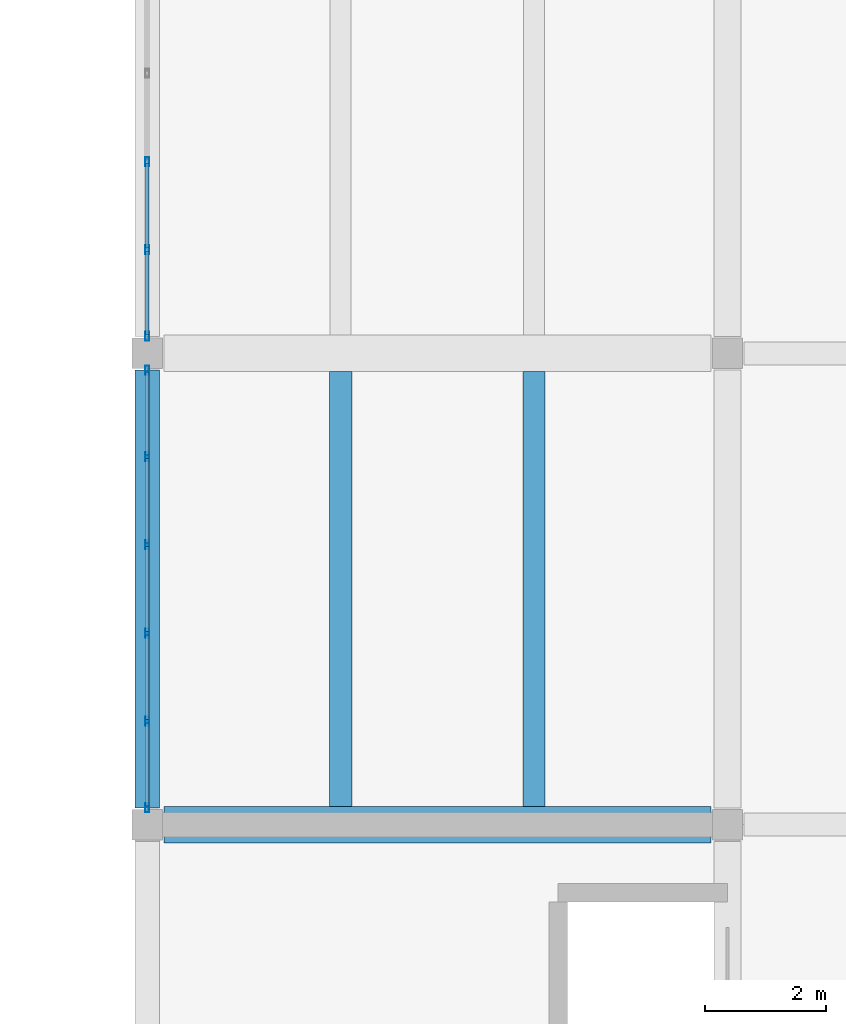
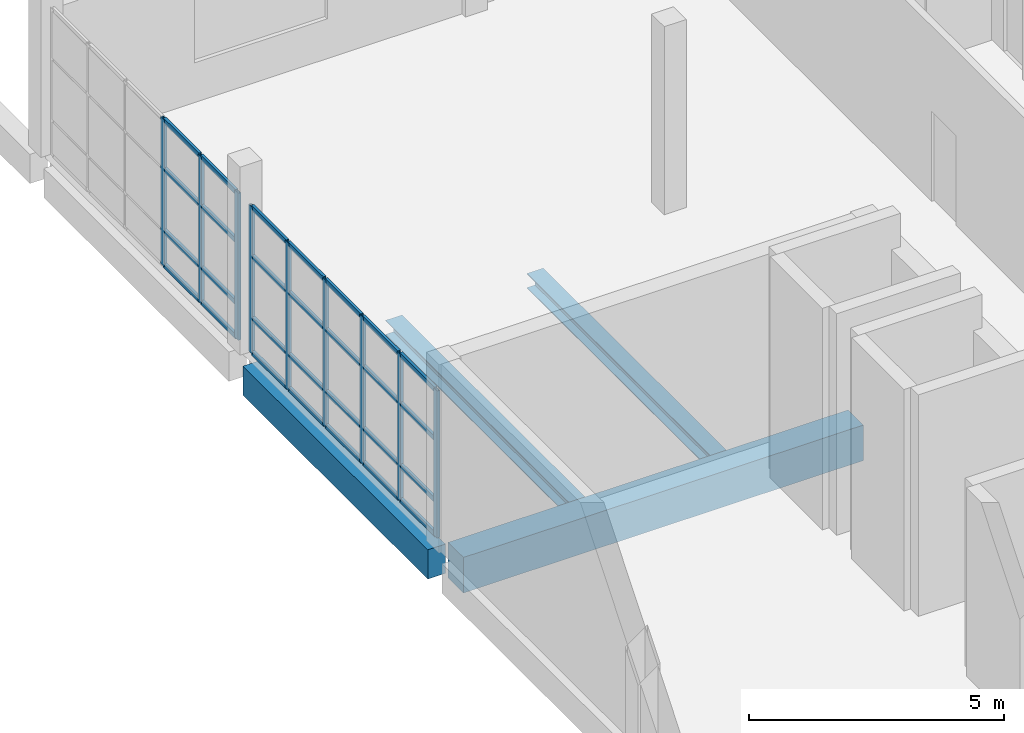
# One storey, part 26 of 53: 37 members, 4 beams, 2 elements without a shape of their own.
"""IFC4 building model written with IfcOpenShell, lengths in metres."""

from ifc_helpers import new_model, si_unit, direction, frame, origin, origin_2d, place, context, subcontext, project, spatial, rectangle, hollow_rectangle, i_section, extrude, material, material_profile, profile_set, type_object, element, aggregate, save


model = new_model("IFC4")

# Units and contexts
model_context = context("Model", 3, precision=1e-05, world=origin(), true_north=direction((0.0, 1.0)))
body_context = subcontext(model_context, "Body", "Model", "MODEL_VIEW")
ifc_project = project(units=[si_unit("LENGTHUNIT", "METRE"), si_unit("AREAUNIT", "SQUARE_METRE"), si_unit("VOLUMEUNIT", "CUBIC_METRE"), si_unit("PLANEANGLEUNIT", "RADIAN"), si_unit("MASSUNIT", "GRAM", prefix="KILO")], contexts=[model_context])

# Site, building, storey
site_placement = place(None, origin())
site = spatial("IfcSite", under=ifc_project, at=site_placement, CompositionType="ELEMENT")
building_placement = place(site_placement, origin())
building = spatial("IfcBuilding", under=site, at=building_placement, Name="Pellamere Symphony Hall", CompositionType="ELEMENT")
storey_placement = place(building_placement, frame((0.0, 0.0, 24.0)))
storey = spatial("IfcBuildingStorey", under=building, at=storey_placement, Name="L05", CompositionType="ELEMENT", Elevation=24.0)

# Curtain wall, members
ifc_material_1 = material(Name="Thermally Broken Anodised Aluminium 6063-T6 Curtain Wall", Category="aluminium")
curtain_wall_type = type_object("IfcCurtainWallType", Name="Curtain Wall CW-05 (Artists Wing North Studio Ribbon Curtain Wall)", PredefinedType="NOTDEFINED", material=ifc_material_1)
curtain_wall_1_placement = place(storey_placement, origin())
curtain_wall_1 = element("IfcCurtainWall", 1, at=curtain_wall_1_placement, inside=storey, type_object=curtain_wall_type, Name="Sculpture Court East Wing Curtain Wall (L05 Bay 1)", PredefinedType="NOTDEFINED")
ifc_material_2 = material(Name="Anodised Architectural Aluminium 6063-T6", Category="aluminium")
ifc_material_profile_1 = material_profile(ifc_material_2, hollow_rectangle(XDim=0.06005859375, YDim=0.14990234375, WallThickness=0.00390625, at=origin_2d()), Name="ALU-M60X150X4")
ifc_profile_set_1 = profile_set([ifc_material_profile_1], Name="Anodised Architectural Aluminium 6063-T6")
member_type_1 = type_object("IfcMemberType", Name="Curtain Wall Mullion ML-03 ALU-M60X150X4", PredefinedType="MULLION", material=ifc_profile_set_1)
member_1_placement = place(storey_placement, frame((138.0, 62.080078125, 0.0), z_axis=(0.0, 0.0, 1.0), x_axis=(-1.0, 0.0, 0.0)))
member_1 = element("IfcMember", 2, at=member_1_placement, type_object=member_type_1, Name="CW5-150 crystal mullion 1", PredefinedType="MULLION", context=body_context, shape_type="SweptSolid", body=[
    extrude(hollow_rectangle(XDim=0.06005859375, YDim=0.14990234375, WallThickness=0.00390625, at=origin_2d()), origin(), (0.0, 0.0, 1.0), 3.52001953125),
])
member_2_placement = place(storey_placement, frame((138.0, 63.510009765625, 0.0), z_axis=(0.0, 0.0, 1.0), x_axis=(-1.0, 0.0, 0.0)))
member_2 = element("IfcMember", 3, at=member_2_placement, type_object=member_type_1, Name="CW5-150 crystal mullion 2", PredefinedType="MULLION", context=body_context, shape_type="SweptSolid", body=[
    extrude(hollow_rectangle(XDim=0.06005859375, YDim=0.14990234375, WallThickness=0.00390625, at=origin_2d()), origin(), (0.0, 0.0, 1.0), 3.52001953125),
])
member_3_placement = place(storey_placement, frame((138.0, 64.969970703125, 0.0), z_axis=(0.0, 0.0, 1.0), x_axis=(-1.0, 0.0, 0.0)))
member_3 = element("IfcMember", 4, at=member_3_placement, type_object=member_type_1, Name="CW5-150 crystal mullion 3", PredefinedType="MULLION", context=body_context, shape_type="SweptSolid", body=[
    extrude(hollow_rectangle(XDim=0.06005859375, YDim=0.14990234375, WallThickness=0.00390625, at=origin_2d()), origin(), (0.0, 0.0, 1.0), 3.52001953125),
])
member_4_placement = place(storey_placement, frame((138.0, 66.429931640625, 0.0), z_axis=(0.0, 0.0, 1.0), x_axis=(-1.0, 0.0, 0.0)))
member_4 = element("IfcMember", 5, at=member_4_placement, type_object=member_type_1, Name="CW5-150 crystal mullion 4", PredefinedType="MULLION", context=body_context, shape_type="SweptSolid", body=[
    extrude(hollow_rectangle(XDim=0.06005859375, YDim=0.14990234375, WallThickness=0.00390625, at=origin_2d()), origin(), (0.0, 0.0, 1.0), 3.52001953125),
])
member_5_placement = place(storey_placement, frame((138.0, 67.889892578125, 0.0), z_axis=(0.0, 0.0, 1.0), x_axis=(-1.0, 0.0, 0.0)))
member_5 = element("IfcMember", 6, at=member_5_placement, type_object=member_type_1, Name="CW5-150 crystal mullion 5", PredefinedType="MULLION", context=body_context, shape_type="SweptSolid", body=[
    extrude(hollow_rectangle(XDim=0.06005859375, YDim=0.14990234375, WallThickness=0.00390625, at=origin_2d()), origin(), (0.0, 0.0, 1.0), 3.52001953125),
])
member_6_placement = place(storey_placement, frame((138.0, 69.320068359375, 0.0), z_axis=(0.0, 0.0, 1.0), x_axis=(-1.0, 0.0, 0.0)))
member_6 = element("IfcMember", 7, at=member_6_placement, type_object=member_type_1, Name="CW5-150 crystal mullion 6", PredefinedType="MULLION", context=body_context, shape_type="SweptSolid", body=[
    extrude(hollow_rectangle(XDim=0.06005859375, YDim=0.14990234375, WallThickness=0.00390625, at=origin_2d()), origin(), (0.0, 0.0, 1.0), 3.52001953125),
])

curtain_wall_2_placement = place(storey_placement, origin())
curtain_wall_2 = element("IfcCurtainWall", 8, at=curtain_wall_2_placement, inside=storey, type_object=curtain_wall_type, Name="Sculpture Court East Wing Curtain Wall (L05 Bay 2)", PredefinedType="NOTDEFINED")
member_7_placement = place(storey_placement, frame((138.0, 69.8798828125, 0.0), z_axis=(0.0, 0.0, 1.0), x_axis=(-1.0, 0.0, 0.0)))
member_7 = element("IfcMember", 9, at=member_7_placement, type_object=member_type_1, Name="CW5-151 crystal mullion 1", PredefinedType="MULLION", context=body_context, shape_type="SweptSolid", body=[
    extrude(hollow_rectangle(XDim=0.06005859375, YDim=0.14990234375, WallThickness=0.00390625, at=origin_2d()), origin(), (0.0, 0.0, 1.0), 3.52001953125),
])
member_8_placement = place(storey_placement, frame((138.0, 71.31005859375, 0.0), z_axis=(0.0, 0.0, 1.0), x_axis=(-1.0, 0.0, 0.0)))
member_8 = element("IfcMember", 10, at=member_8_placement, type_object=member_type_1, Name="CW5-151 crystal mullion 2", PredefinedType="MULLION", context=body_context, shape_type="SweptSolid", body=[
    extrude(hollow_rectangle(XDim=0.06005859375, YDim=0.14990234375, WallThickness=0.00390625, at=origin_2d()), origin(), (0.0, 0.0, 1.0), 3.52001953125),
])
member_9_placement = place(storey_placement, frame((138.0, 72.77001953125, 0.0), z_axis=(0.0, 0.0, 1.0), x_axis=(-1.0, 0.0, 0.0)))
member_9 = element("IfcMember", 11, at=member_9_placement, type_object=member_type_1, Name="CW5-151 crystal mullion 3", PredefinedType="MULLION", context=body_context, shape_type="SweptSolid", body=[
    extrude(hollow_rectangle(XDim=0.06005859375, YDim=0.14990234375, WallThickness=0.00390625, at=origin_2d()), origin(), (0.0, 0.0, 1.0), 3.52001953125),
])

# Member
ifc_material_profile_2 = material_profile(ifc_material_2, hollow_rectangle(XDim=0.06005859375, YDim=0.1201171875, WallThickness=0.00390625, at=origin_2d()), Name="ALU-T60X120X4")
ifc_profile_set_2 = profile_set([ifc_material_profile_2], Name="Anodised Architectural Aluminium 6063-T6")
member_type_2 = type_object("IfcMemberType", Name="Curtain Wall Transom TR-03 ALU-T60X120X4", PredefinedType="USERDEFINED", material=ifc_profile_set_2)
member_10_placement = place(storey_placement, frame((138.0, 62.110107421875, 0.030029296875), z_axis=(0.0, 1.0, 0.0), x_axis=(-1.0, 0.0, 0.0)))
member_10 = element("IfcMember", 12, at=member_10_placement, type_object=member_type_2, Name="CW5-150 crystal transom 1.1", ObjectType="TRANSOM", PredefinedType="USERDEFINED", context=body_context, shape_type="SweptSolid", body=[
    extrude(hollow_rectangle(XDim=0.06005859375, YDim=0.1201171875, WallThickness=0.00390625, at=origin_2d()), origin(), (0.0, 0.0, 1.0), 1.369873046875),
])

member_11_placement = place(storey_placement, frame((138.0, 62.110107421875, 0.8447265625), z_axis=(0.0, 1.0, 0.0), x_axis=(-1.0, 0.0, 0.0)))
member_11 = element("IfcMember", 13, at=member_11_placement, type_object=member_type_2, Name="CW5-150 crystal transom 1.2", ObjectType="TRANSOM", PredefinedType="USERDEFINED", context=body_context, shape_type="SweptSolid", body=[
    extrude(hollow_rectangle(XDim=0.06005859375, YDim=0.1201171875, WallThickness=0.00390625, at=origin_2d()), origin(), (0.0, 0.0, 1.0), 1.369873046875),
])

member_12_placement = place(storey_placement, frame((138.0, 62.110107421875, 2.3232421875), z_axis=(0.0, 1.0, 0.0), x_axis=(-1.0, 0.0, 0.0)))
member_12 = element("IfcMember", 14, at=member_12_placement, type_object=member_type_2, Name="CW5-150 crystal transom 1.3", ObjectType="TRANSOM", PredefinedType="USERDEFINED", context=body_context, shape_type="SweptSolid", body=[
    extrude(hollow_rectangle(XDim=0.06005859375, YDim=0.1201171875, WallThickness=0.00390625, at=origin_2d()), origin(), (0.0, 0.0, 1.0), 1.369873046875),
])

member_13_placement = place(storey_placement, frame((138.0, 62.110107421875, 3.489990234375), z_axis=(0.0, 1.0, 0.0), x_axis=(-1.0, 0.0, 0.0)))
member_13 = element("IfcMember", 15, at=member_13_placement, type_object=member_type_2, Name="CW5-150 crystal transom 1.4", ObjectType="TRANSOM", PredefinedType="USERDEFINED", context=body_context, shape_type="SweptSolid", body=[
    extrude(hollow_rectangle(XDim=0.06005859375, YDim=0.1201171875, WallThickness=0.00390625, at=origin_2d()), origin(), (0.0, 0.0, 1.0), 1.369873046875),
])

member_14_placement = place(storey_placement, frame((138.0, 63.5400390625, 0.030029296875), z_axis=(0.0, 1.0, 0.0), x_axis=(-1.0, 0.0, 0.0)))
member_14 = element("IfcMember", 16, at=member_14_placement, type_object=member_type_2, Name="CW5-150 crystal transom 2.1", ObjectType="TRANSOM", PredefinedType="USERDEFINED", context=body_context, shape_type="SweptSolid", body=[
    extrude(hollow_rectangle(XDim=0.06005859375, YDim=0.1201171875, WallThickness=0.00390625, at=origin_2d()), origin(), (0.0, 0.0, 1.0), 1.39990234375),
])

member_15_placement = place(storey_placement, frame((138.0, 63.5400390625, 0.8447265625), z_axis=(0.0, 1.0, 0.0), x_axis=(-1.0, 0.0, 0.0)))
member_15 = element("IfcMember", 17, at=member_15_placement, type_object=member_type_2, Name="CW5-150 crystal transom 2.2", ObjectType="TRANSOM", PredefinedType="USERDEFINED", context=body_context, shape_type="SweptSolid", body=[
    extrude(hollow_rectangle(XDim=0.06005859375, YDim=0.1201171875, WallThickness=0.00390625, at=origin_2d()), origin(), (0.0, 0.0, 1.0), 1.39990234375),
])

member_16_placement = place(storey_placement, frame((138.0, 63.5400390625, 2.3232421875), z_axis=(0.0, 1.0, 0.0), x_axis=(-1.0, 0.0, 0.0)))
member_16 = element("IfcMember", 18, at=member_16_placement, type_object=member_type_2, Name="CW5-150 crystal transom 2.3", ObjectType="TRANSOM", PredefinedType="USERDEFINED", context=body_context, shape_type="SweptSolid", body=[
    extrude(hollow_rectangle(XDim=0.06005859375, YDim=0.1201171875, WallThickness=0.00390625, at=origin_2d()), origin(), (0.0, 0.0, 1.0), 1.39990234375),
])

member_17_placement = place(storey_placement, frame((138.0, 63.5400390625, 3.489990234375), z_axis=(0.0, 1.0, 0.0), x_axis=(-1.0, 0.0, 0.0)))
member_17 = element("IfcMember", 19, at=member_17_placement, type_object=member_type_2, Name="CW5-150 crystal transom 2.4", ObjectType="TRANSOM", PredefinedType="USERDEFINED", context=body_context, shape_type="SweptSolid", body=[
    extrude(hollow_rectangle(XDim=0.06005859375, YDim=0.1201171875, WallThickness=0.00390625, at=origin_2d()), origin(), (0.0, 0.0, 1.0), 1.39990234375),
])

member_18_placement = place(storey_placement, frame((138.0, 65.0, 0.030029296875), z_axis=(0.0, 1.0, 0.0), x_axis=(-1.0, 0.0, 0.0)))
member_18 = element("IfcMember", 20, at=member_18_placement, type_object=member_type_2, Name="CW5-150 crystal transom 3.1", ObjectType="TRANSOM", PredefinedType="USERDEFINED", context=body_context, shape_type="SweptSolid", body=[
    extrude(hollow_rectangle(XDim=0.06005859375, YDim=0.1201171875, WallThickness=0.00390625, at=origin_2d()), origin(), (0.0, 0.0, 1.0), 1.39990234375),
])

member_19_placement = place(storey_placement, frame((138.0, 65.0, 0.8447265625), z_axis=(0.0, 1.0, 0.0), x_axis=(-1.0, 0.0, 0.0)))
member_19 = element("IfcMember", 21, at=member_19_placement, type_object=member_type_2, Name="CW5-150 crystal transom 3.2", ObjectType="TRANSOM", PredefinedType="USERDEFINED", context=body_context, shape_type="SweptSolid", body=[
    extrude(hollow_rectangle(XDim=0.06005859375, YDim=0.1201171875, WallThickness=0.00390625, at=origin_2d()), origin(), (0.0, 0.0, 1.0), 1.39990234375),
])

member_20_placement = place(storey_placement, frame((138.0, 65.0, 2.3232421875), z_axis=(0.0, 1.0, 0.0), x_axis=(-1.0, 0.0, 0.0)))
member_20 = element("IfcMember", 22, at=member_20_placement, type_object=member_type_2, Name="CW5-150 crystal transom 3.3", ObjectType="TRANSOM", PredefinedType="USERDEFINED", context=body_context, shape_type="SweptSolid", body=[
    extrude(hollow_rectangle(XDim=0.06005859375, YDim=0.1201171875, WallThickness=0.00390625, at=origin_2d()), origin(), (0.0, 0.0, 1.0), 1.39990234375),
])

member_21_placement = place(storey_placement, frame((138.0, 65.0, 3.489990234375), z_axis=(0.0, 1.0, 0.0), x_axis=(-1.0, 0.0, 0.0)))
member_21 = element("IfcMember", 23, at=member_21_placement, type_object=member_type_2, Name="CW5-150 crystal transom 3.4", ObjectType="TRANSOM", PredefinedType="USERDEFINED", context=body_context, shape_type="SweptSolid", body=[
    extrude(hollow_rectangle(XDim=0.06005859375, YDim=0.1201171875, WallThickness=0.00390625, at=origin_2d()), origin(), (0.0, 0.0, 1.0), 1.39990234375),
])

member_22_placement = place(storey_placement, frame((138.0, 66.4599609375, 0.030029296875), z_axis=(0.0, 1.0, 0.0), x_axis=(-1.0, 0.0, 0.0)))
member_22 = element("IfcMember", 24, at=member_22_placement, type_object=member_type_2, Name="CW5-150 crystal transom 4.1", ObjectType="TRANSOM", PredefinedType="USERDEFINED", context=body_context, shape_type="SweptSolid", body=[
    extrude(hollow_rectangle(XDim=0.06005859375, YDim=0.1201171875, WallThickness=0.00390625, at=origin_2d()), origin(), (0.0, 0.0, 1.0), 1.400146484375),
])

member_23_placement = place(storey_placement, frame((138.0, 66.4599609375, 0.8447265625), z_axis=(0.0, 1.0, 0.0), x_axis=(-1.0, 0.0, 0.0)))
member_23 = element("IfcMember", 25, at=member_23_placement, type_object=member_type_2, Name="CW5-150 crystal transom 4.2", ObjectType="TRANSOM", PredefinedType="USERDEFINED", context=body_context, shape_type="SweptSolid", body=[
    extrude(hollow_rectangle(XDim=0.06005859375, YDim=0.1201171875, WallThickness=0.00390625, at=origin_2d()), origin(), (0.0, 0.0, 1.0), 1.400146484375),
])

member_24_placement = place(storey_placement, frame((138.0, 66.4599609375, 2.3232421875), z_axis=(0.0, 1.0, 0.0), x_axis=(-1.0, 0.0, 0.0)))
member_24 = element("IfcMember", 26, at=member_24_placement, type_object=member_type_2, Name="CW5-150 crystal transom 4.3", ObjectType="TRANSOM", PredefinedType="USERDEFINED", context=body_context, shape_type="SweptSolid", body=[
    extrude(hollow_rectangle(XDim=0.06005859375, YDim=0.1201171875, WallThickness=0.00390625, at=origin_2d()), origin(), (0.0, 0.0, 1.0), 1.400146484375),
])

member_25_placement = place(storey_placement, frame((138.0, 66.4599609375, 3.489990234375), z_axis=(0.0, 1.0, 0.0), x_axis=(-1.0, 0.0, 0.0)))
member_25 = element("IfcMember", 27, at=member_25_placement, type_object=member_type_2, Name="CW5-150 crystal transom 4.4", ObjectType="TRANSOM", PredefinedType="USERDEFINED", context=body_context, shape_type="SweptSolid", body=[
    extrude(hollow_rectangle(XDim=0.06005859375, YDim=0.1201171875, WallThickness=0.00390625, at=origin_2d()), origin(), (0.0, 0.0, 1.0), 1.400146484375),
])

member_26_placement = place(storey_placement, frame((138.0, 67.919921875, 0.030029296875), z_axis=(0.0, 1.0, 0.0), x_axis=(-1.0, 0.0, 0.0)))
member_26 = element("IfcMember", 28, at=member_26_placement, type_object=member_type_2, Name="CW5-150 crystal transom 5.1", ObjectType="TRANSOM", PredefinedType="USERDEFINED", context=body_context, shape_type="SweptSolid", body=[
    extrude(hollow_rectangle(XDim=0.06005859375, YDim=0.1201171875, WallThickness=0.00390625, at=origin_2d()), origin(), (0.0, 0.0, 1.0), 1.3701171875),
])

member_27_placement = place(storey_placement, frame((138.0, 67.919921875, 0.8447265625), z_axis=(0.0, 1.0, 0.0), x_axis=(-1.0, 0.0, 0.0)))
member_27 = element("IfcMember", 29, at=member_27_placement, type_object=member_type_2, Name="CW5-150 crystal transom 5.2", ObjectType="TRANSOM", PredefinedType="USERDEFINED", context=body_context, shape_type="SweptSolid", body=[
    extrude(hollow_rectangle(XDim=0.06005859375, YDim=0.1201171875, WallThickness=0.00390625, at=origin_2d()), origin(), (0.0, 0.0, 1.0), 1.3701171875),
])

member_28_placement = place(storey_placement, frame((138.0, 67.919921875, 2.3232421875), z_axis=(0.0, 1.0, 0.0), x_axis=(-1.0, 0.0, 0.0)))
member_28 = element("IfcMember", 30, at=member_28_placement, type_object=member_type_2, Name="CW5-150 crystal transom 5.3", ObjectType="TRANSOM", PredefinedType="USERDEFINED", context=body_context, shape_type="SweptSolid", body=[
    extrude(hollow_rectangle(XDim=0.06005859375, YDim=0.1201171875, WallThickness=0.00390625, at=origin_2d()), origin(), (0.0, 0.0, 1.0), 1.3701171875),
])

member_29_placement = place(storey_placement, frame((138.0, 67.919921875, 3.489990234375), z_axis=(0.0, 1.0, 0.0), x_axis=(-1.0, 0.0, 0.0)))
member_29 = element("IfcMember", 31, at=member_29_placement, type_object=member_type_2, Name="CW5-150 crystal transom 5.4", ObjectType="TRANSOM", PredefinedType="USERDEFINED", context=body_context, shape_type="SweptSolid", body=[
    extrude(hollow_rectangle(XDim=0.06005859375, YDim=0.1201171875, WallThickness=0.00390625, at=origin_2d()), origin(), (0.0, 0.0, 1.0), 1.3701171875),
])

aggregate(curtain_wall_1, [member_1, member_2, member_3, member_4, member_5, member_6, member_10, member_11, member_12, member_13, member_14, member_15, member_16, member_17, member_18, member_19, member_20, member_21, member_22, member_23, member_24, member_25, member_26, member_27, member_28, member_29])

member_30_placement = place(storey_placement, frame((138.0, 69.909912109375, 0.030029296875), z_axis=(0.0, 1.0, 0.0), x_axis=(-1.0, 0.0, 0.0)))
member_30 = element("IfcMember", 32, at=member_30_placement, type_object=member_type_2, Name="CW5-151 crystal transom 1.1", ObjectType="TRANSOM", PredefinedType="USERDEFINED", context=body_context, shape_type="SweptSolid", body=[
    extrude(hollow_rectangle(XDim=0.06005859375, YDim=0.1201171875, WallThickness=0.00390625, at=origin_2d()), origin(), (0.0, 0.0, 1.0), 1.3701171875),
])

member_31_placement = place(storey_placement, frame((138.0, 69.909912109375, 0.8447265625), z_axis=(0.0, 1.0, 0.0), x_axis=(-1.0, 0.0, 0.0)))
member_31 = element("IfcMember", 33, at=member_31_placement, type_object=member_type_2, Name="CW5-151 crystal transom 1.2", ObjectType="TRANSOM", PredefinedType="USERDEFINED", context=body_context, shape_type="SweptSolid", body=[
    extrude(hollow_rectangle(XDim=0.06005859375, YDim=0.1201171875, WallThickness=0.00390625, at=origin_2d()), origin(), (0.0, 0.0, 1.0), 1.3701171875),
])

member_32_placement = place(storey_placement, frame((138.0, 69.909912109375, 2.3232421875), z_axis=(0.0, 1.0, 0.0), x_axis=(-1.0, 0.0, 0.0)))
member_32 = element("IfcMember", 34, at=member_32_placement, type_object=member_type_2, Name="CW5-151 crystal transom 1.3", ObjectType="TRANSOM", PredefinedType="USERDEFINED", context=body_context, shape_type="SweptSolid", body=[
    extrude(hollow_rectangle(XDim=0.06005859375, YDim=0.1201171875, WallThickness=0.00390625, at=origin_2d()), origin(), (0.0, 0.0, 1.0), 1.3701171875),
])

member_33_placement = place(storey_placement, frame((138.0, 69.909912109375, 3.489990234375), z_axis=(0.0, 1.0, 0.0), x_axis=(-1.0, 0.0, 0.0)))
member_33 = element("IfcMember", 35, at=member_33_placement, type_object=member_type_2, Name="CW5-151 crystal transom 1.4", ObjectType="TRANSOM", PredefinedType="USERDEFINED", context=body_context, shape_type="SweptSolid", body=[
    extrude(hollow_rectangle(XDim=0.06005859375, YDim=0.1201171875, WallThickness=0.00390625, at=origin_2d()), origin(), (0.0, 0.0, 1.0), 1.3701171875),
])

member_34_placement = place(storey_placement, frame((138.0, 71.340087890625, 0.030029296875), z_axis=(0.0, 1.0, 0.0), x_axis=(-1.0, 0.0, 0.0)))
member_34 = element("IfcMember", 36, at=member_34_placement, type_object=member_type_2, Name="CW5-151 crystal transom 2.1", ObjectType="TRANSOM", PredefinedType="USERDEFINED", context=body_context, shape_type="SweptSolid", body=[
    extrude(hollow_rectangle(XDim=0.06005859375, YDim=0.1201171875, WallThickness=0.00390625, at=origin_2d()), origin(), (0.0, 0.0, 1.0), 1.39990234375),
])

member_35_placement = place(storey_placement, frame((138.0, 71.340087890625, 0.8447265625), z_axis=(0.0, 1.0, 0.0), x_axis=(-1.0, 0.0, 0.0)))
member_35 = element("IfcMember", 37, at=member_35_placement, type_object=member_type_2, Name="CW5-151 crystal transom 2.2", ObjectType="TRANSOM", PredefinedType="USERDEFINED", context=body_context, shape_type="SweptSolid", body=[
    extrude(hollow_rectangle(XDim=0.06005859375, YDim=0.1201171875, WallThickness=0.00390625, at=origin_2d()), origin(), (0.0, 0.0, 1.0), 1.39990234375),
])

member_36_placement = place(storey_placement, frame((138.0, 71.340087890625, 2.3232421875), z_axis=(0.0, 1.0, 0.0), x_axis=(-1.0, 0.0, 0.0)))
member_36 = element("IfcMember", 38, at=member_36_placement, type_object=member_type_2, Name="CW5-151 crystal transom 2.3", ObjectType="TRANSOM", PredefinedType="USERDEFINED", context=body_context, shape_type="SweptSolid", body=[
    extrude(hollow_rectangle(XDim=0.06005859375, YDim=0.1201171875, WallThickness=0.00390625, at=origin_2d()), origin(), (0.0, 0.0, 1.0), 1.39990234375),
])

member_37_placement = place(storey_placement, frame((138.0, 71.340087890625, 3.489990234375), z_axis=(0.0, 1.0, 0.0), x_axis=(-1.0, 0.0, 0.0)))
member_37 = element("IfcMember", 39, at=member_37_placement, type_object=member_type_2, Name="CW5-151 crystal transom 2.4", ObjectType="TRANSOM", PredefinedType="USERDEFINED", context=body_context, shape_type="SweptSolid", body=[
    extrude(hollow_rectangle(XDim=0.06005859375, YDim=0.1201171875, WallThickness=0.00390625, at=origin_2d()), origin(), (0.0, 0.0, 1.0), 1.39990234375),
])

aggregate(curtain_wall_2, [member_7, member_8, member_9, member_30, member_31, member_32, member_33, member_34, member_35, member_36, member_37])

# Beams
ifc_material_3 = material(Name="Concrete 40 MPa", Category="concrete")
ifc_material_profile_3 = material_profile(ifc_material_3, rectangle(XDim=0.60009765625, YDim=0.85009765625, at=origin_2d()), Name="RC 600x850")
ifc_profile_set_3 = profile_set([ifc_material_profile_3], Name="Concrete 40 MPa")
beam_type_1 = type_object("IfcBeamType", Name="RC CB-04 600x850", PredefinedType="BEAM", material=ifc_profile_set_3)
beam_1_placement = place(storey_placement, frame((138.27490234375, 61.800048828125, -0.68505859375), z_axis=(1.0, 0.0, 0.0), x_axis=(0.0, 1.0, 0.0)))
element("IfcBeam", 40, at=beam_1_placement, inside=storey, type_object=beam_type_1, Name="Girder CB-04-X2042 (L05)", PredefinedType="BEAM", context=body_context, shape_type="SweptSolid", body=[
    extrude(rectangle(XDim=0.60009765625, YDim=0.85009765625, at=origin_2d()), origin(), (0.0, 0.0, 1.0), 9.050048828125),
])
ifc_material_profile_4 = material_profile(ifc_material_3, rectangle(XDim=0.39990234375, YDim=0.699951171875, at=origin_2d()), Name="RC 400x700")
ifc_profile_set_4 = profile_set([ifc_material_profile_4], Name="Concrete 40 MPa")
beam_type_2 = type_object("IfcBeamType", Name="RC CB-13 400x700", PredefinedType="SPANDREL", material=ifc_profile_set_4)
beam_2_placement = place(storey_placement, frame((138.0, 62.074951171875, -0.610107421875), z_axis=(0.0, 1.0, 0.0), x_axis=(-1.0, 0.0, 0.0)))
element("IfcBeam", 41, at=beam_2_placement, inside=storey, type_object=beam_type_2, Name="Girder CB-13-Y2112 (L05)", PredefinedType="SPANDREL", context=body_context, shape_type="SweptSolid", body=[
    extrude(rectangle(XDim=0.39990234375, YDim=0.699951171875, at=origin_2d()), origin(), (0.0, 0.0, 1.0), 7.25),
])
ifc_material_4 = material(Name="Steel CSA G40.21 350W", Category="steel")
ifc_material_profile_5 = material_profile(ifc_material_4, i_section(OverallWidth=0.368896484375, OverallDepth=0.35595703125, WebThickness=0.01123046875, FlangeThickness=0.01806640625, at=origin_2d()), Name="W360X134")
ifc_profile_set_5 = profile_set([ifc_material_profile_5], Name="Steel CSA G40.21 350W")
beam_type_3 = type_object("IfcBeamType", Name="Steel Beam SB-28 W360X134", PredefinedType="BEAM", material=ifc_profile_set_5)
for number, where, z_axis, x_axis, name in (
    (42, (141.199951171875, 62.10009765625, -0.452880859375), (0.0, 1.0, 0.0), (-1.0, 0.0, 0.0), "Secondary Floor Beam SB-28-A1708 (L05)"),
    (43, (144.39990234375, 62.10009765625, -0.452880859375), (0.0, 1.0, 0.0), (-1.0, 0.0, 0.0), "Secondary Floor Beam SB-28-B1708 (L05)"),
):
    element("IfcBeam", number, at=place(storey_placement, frame(where, z_axis=z_axis, x_axis=x_axis)), inside=storey, type_object=beam_type_3, Name=name, PredefinedType="BEAM", context=body_context, shape_type="SweptSolid", body=[
        extrude(i_section(OverallWidth=0.368896484375, OverallDepth=0.35595703125, WebThickness=0.01123046875, FlangeThickness=0.01806640625, at=origin_2d()), origin(), (0.0, 0.0, 1.0), 7.199951171875),
    ])

save(model, "model.ifc")
